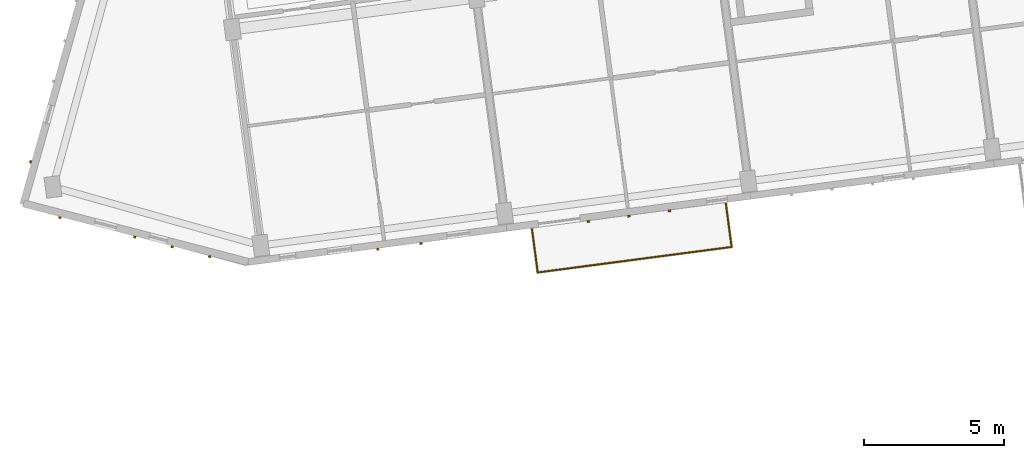
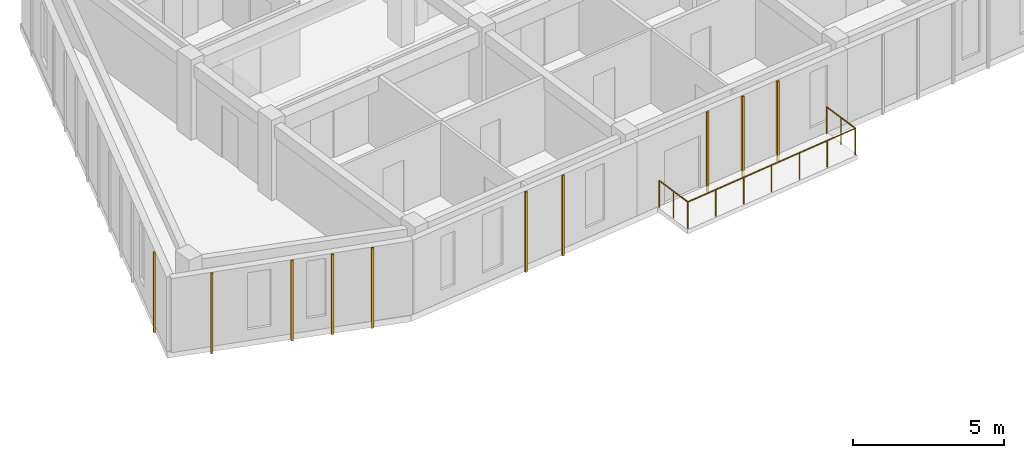
# One storey, part 39 of 74: 10 coverings, 1 railing.
"""IFC4 building model written with IfcOpenShell, lengths in metres."""

from ifc_helpers import new_model, si_unit, direction, frame, origin, origin_2d, place, context, subcontext, project, spatial, rectangle, circle, extrude, material, layer, layer_set, type_object, element, save


model = new_model("IFC4")

# Units and contexts
model_context = context("Model", 3, precision=1e-05, world=origin(), true_north=direction((0.0, 1.0)))
body_context = subcontext(model_context, "Body", "Model", "MODEL_VIEW")
ifc_project = project(units=[si_unit("LENGTHUNIT", "METRE"), si_unit("AREAUNIT", "SQUARE_METRE"), si_unit("VOLUMEUNIT", "CUBIC_METRE"), si_unit("PLANEANGLEUNIT", "RADIAN"), si_unit("MASSUNIT", "GRAM", prefix="KILO")], contexts=[model_context])

# Site, building, storey
site_placement = place(None, origin())
site = spatial("IfcSite", under=ifc_project, at=site_placement, CompositionType="ELEMENT")
building_placement = place(site_placement, origin())
building = spatial("IfcBuilding", under=site, at=building_placement, Name="Kestramere Prow Commons", CompositionType="ELEMENT")
storey_placement = place(building_placement, frame((0.0, 0.0, 11.64990234375)))
storey = spatial("IfcBuildingStorey", under=building, at=storey_placement, Name="L03", CompositionType="ELEMENT", Elevation=11.64990234375)

# Coverings
ifc_material_1 = material(Name="Weathered Zinc-Titanium Standing-Seam Cladding")
ifc_layer = layer(ifc_material_1, 0.074951171875)
ifc_layer_set = layer_set([ifc_layer], Name="Weathered Zinc-Titanium Standing-Seam Cladding")
covering_type = type_object("IfcCoveringType", Name="COV-CLAD-SEAM", PredefinedType="CLADDING", material=ifc_layer_set)
for number, where, z_axis, x_axis, name in (
    (1, (16.931396484375, 72.0712890625, -0.25), (0.0, 0.0, 1.0), (-0.991444861374, -0.13052619222, 0.0), "EW-A-L03-S-0 Standing-Seam Rib 2"),
    (2, (15.390625, 71.868408203125, -0.25), (0.0, 0.0, 1.0), (-0.991444861374, -0.13052619222, 0.0), "EW-A-L03-S-0 Standing-Seam Rib 3"),
    (3, (25.82958984375, 73.24267578125, -0.25), (0.0, 0.0, 1.0), (-0.991444861374, -0.13052619222, 0.0), "EW-A-L03-S-1 Standing-Seam Rib 2"),
    (4, (24.37548828125, 73.05126953125, -0.25), (0.0, 0.0, 1.0), (-0.991444861374, -0.13052619222, 0.0), "EW-A-L03-S-1 Standing-Seam Rib 3"),
    (5, (22.92138671875, 72.85986328125, -0.25), (0.0, 0.0, 1.0), (-0.991444861374, -0.13052619222, 0.0), "EW-A-L03-S-1 Standing-Seam Rib 4"),
    (6, (9.367431640625, 71.602783203125, -0.25), (0.0, 0.0, 1.0), (-0.96769817096, 0.252111582281, 0.0), "EW-A-L03-PRW-S Standing-Seam Rib 1"),
    (7, (8.028076171875, 71.95166015625, -0.25), (0.0, 0.0, 1.0), (-0.96769817096, 0.252111582281, 0.0), "EW-A-L03-PRW-S Standing-Seam Rib 2"),
    (8, (6.6884765625, 72.300537109375, -0.25), (0.0, 0.0, 1.0), (-0.96769817096, 0.252111582281, 0.0), "EW-A-L03-PRW-S Standing-Seam Rib 3"),
    (9, (4.009521484375, 72.99853515625, -0.25), (0.0, 0.0, 1.0), (-0.96769817096, 0.252111582281, 0.0), "EW-A-L03-PRW-S Standing-Seam Rib 5"),
    (10, (2.96142578125, 74.9931640625, -0.25), (0.0, 0.0, 1.0), (0.271159911526, 0.962534312314, 0.0), "EW-A-L03-PRW-N Standing-Seam Rib 1"),
):
    element("IfcCovering", number, at=place(storey_placement, frame(where, z_axis=z_axis, x_axis=x_axis)), inside=storey, type_object=covering_type, Name=name, PredefinedType="CLADDING", context=body_context, shape_type="SweptSolid", body=[
        extrude(rectangle(XDim=0.0849609375, YDim=0.06494140625, at=origin_2d()), origin(), (0.0, 0.0, 1.0), 3.25),
    ])

# Railing
ifc_material_2 = material(Name="Powder-Coated Aluminium 6063-T6", Category="aluminium")
railing_type = type_object("IfcRailingType", Name="GRD-BALC-1100", PredefinedType="BALUSTRADE", material=ifc_material_2)
railing_placement = place(storey_placement, frame((20.906982421875, 72.58203125, 0.0)))
element("IfcRailing", 11, at=railing_placement, inside=storey, type_object=railing_type, Name="Block A L03 Balcony Guardrail 2", PredefinedType="BALUSTRADE", context=body_context, shape_type="SweptSolid", body=[
    extrude(circle(Radius=0.02392578125, at=origin_2d()), frame((0.0, 0.0, 1.076171875), z_axis=(0.130523335136, -0.991445237512, 0.0), x_axis=(0.991445237512, 0.130523335136, 0.0)), (0.0, 0.0, 1.0), 1.56005859375),
    extrude(circle(Radius=0.02392578125, at=origin_2d()), frame((0.20361328125, -1.546630859375, 1.076171875), z_axis=(0.991447052715, 0.13050954625, 0.0), x_axis=(-0.13050954625, 0.991447052715, 0.0)), (0.0, 0.0, 1.0), 7.0),
    extrude(circle(Radius=0.02392578125, at=origin_2d()), frame((7.143798828125, -0.633056640625, 1.076171875), z_axis=(-0.130523335136, 0.991445237512, 0.0), x_axis=(-0.991445237512, -0.130523335136, 0.0)), (0.0, 0.0, 1.0), 1.56005859375),
    extrude(circle(Radius=0.02099609375, at=origin_2d()), origin(), (0.0, 0.0, 1.0), 1.052001953125),
    extrude(circle(Radius=0.02099609375, at=origin_2d()), frame((0.101806640625, -0.7734375, 0.0)), (0.0, 0.0, 1.0), 1.052001953125),
    extrude(circle(Radius=0.02099609375, at=origin_2d()), frame((0.20361328125, -1.546630859375, 0.0)), (0.0, 0.0, 1.0), 1.052001953125),
    extrude(circle(Radius=0.02099609375, at=origin_2d()), frame((1.3603515625, -1.394287109375, 0.0)), (0.0, 0.0, 1.0), 1.052001953125),
    extrude(circle(Radius=0.02099609375, at=origin_2d()), frame((2.51708984375, -1.2421875, 0.0)), (0.0, 0.0, 1.0), 1.052001953125),
    extrude(circle(Radius=0.02099609375, at=origin_2d()), frame((3.673828125, -1.08984375, 0.0)), (0.0, 0.0, 1.0), 1.052001953125),
    extrude(circle(Radius=0.02099609375, at=origin_2d()), frame((4.830322265625, -0.9375, 0.0)), (0.0, 0.0, 1.0), 1.052001953125),
    extrude(circle(Radius=0.02099609375, at=origin_2d()), frame((5.987060546875, -0.785400390625, 0.0)), (0.0, 0.0, 1.0), 1.052001953125),
    extrude(circle(Radius=0.02099609375, at=origin_2d()), frame((7.143798828125, -0.633056640625, 0.0)), (0.0, 0.0, 1.0), 1.052001953125),
    extrude(circle(Radius=0.02099609375, at=origin_2d()), frame((7.0419921875, 0.14013671875, 0.0)), (0.0, 0.0, 1.0), 1.052001953125),
    extrude(circle(Radius=0.02099609375, at=origin_2d()), frame((6.940185546875, 0.91357421875, 0.0)), (0.0, 0.0, 1.0), 1.052001953125),
])

save(model, "model.ifc")
